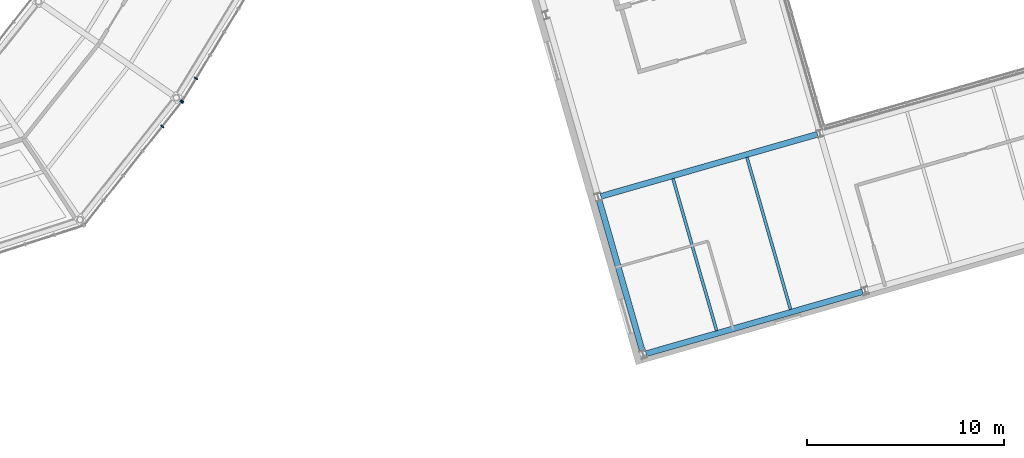
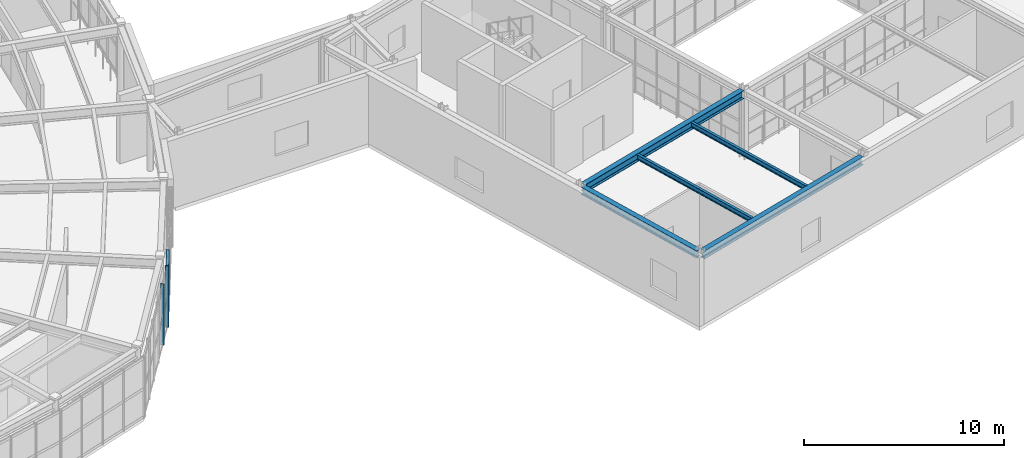
# One storey, part 30 of 103: 5 beams, 4 members, 2 elements without a shape of their own.
"""IFC4 building model written with IfcOpenShell, lengths in metres."""

from ifc_helpers import new_model, si_unit, direction, frame, origin, origin_2d, place, context, subcontext, project, spatial, rectangle, i_section, extrude, material, material_profile, profile_set, type_object, element, aggregate, save


model = new_model("IFC4")

# Units and contexts
model_context = context("Model", 3, precision=1e-05, world=origin(), true_north=direction((0.0, 1.0)))
body_context = subcontext(model_context, "Body", "Model", "MODEL_VIEW")
ifc_project = project(units=[si_unit("LENGTHUNIT", "METRE"), si_unit("AREAUNIT", "SQUARE_METRE"), si_unit("VOLUMEUNIT", "CUBIC_METRE"), si_unit("PLANEANGLEUNIT", "RADIAN"), si_unit("MASSUNIT", "GRAM", prefix="KILO")], contexts=[model_context])

# Site, building, storey
site_placement = place(None, origin())
site = spatial("IfcSite", under=ifc_project, at=site_placement, CompositionType="ELEMENT")
building_placement = place(site_placement, origin())
building = spatial("IfcBuilding", under=site, at=building_placement, Name="Varnklinge Art Gallery", CompositionType="ELEMENT")
storey_placement = place(building_placement, frame((0.0, 0.0, 5.10009765625)))
storey = spatial("IfcBuildingStorey", under=building, at=storey_placement, Name="L01", CompositionType="ELEMENT", Elevation=5.10009765625)

# Beams
ifc_material_1 = material(Name="Steel S355", Category="steel")
ifc_material_profile_1 = material_profile(ifc_material_1, i_section(OverallWidth=0.300048828125, OverallDepth=0.489990234375, WebThickness=0.011962890625, FlangeThickness=0.02294921875, FilletRadius=0.027099609375, at=origin_2d()), Name="HEA 500")
ifc_profile_set_1 = profile_set([ifc_material_profile_1], Name="Steel S355")
beam_type_1 = type_object("IfcBeamType", Name="BM-07", PredefinedType="BEAM", material=ifc_profile_set_1)
for number, where, z_axis, x_axis, name in (
    (1, (124.962158203125, 9.8466796875, 3.954833984375), (0.961262939416, 0.275633019257, 0.0), (-0.275633019257, 0.961262939416, 0.0), "L01 BM-07 BM-V6-L02-U0-0"),
    (2, (122.67431640625, 17.8251953125, 3.954833984375), (0.961262939416, 0.275633019257, 0.0), (-0.275633019257, 0.961262939416, 0.0), "L01 BM-07 BM-V6-L02-U1-0"),
):
    element("IfcBeam", number, at=place(storey_placement, frame(where, z_axis=z_axis, x_axis=x_axis)), inside=storey, type_object=beam_type_1, Name=name, PredefinedType="BEAM", context=body_context, shape_type="SweptSolid", body=[
        extrude(i_section(OverallWidth=0.300048828125, OverallDepth=0.489990234375, WebThickness=0.011962890625, FlangeThickness=0.02294921875, FilletRadius=0.027099609375, at=origin_2d()), origin(), (0.0, 0.0, 1.0), 11.419921875),
    ])
ifc_material_2 = material(Name="Steel S355", Category="steel")
ifc_material_profile_2 = material_profile(ifc_material_2, i_section(OverallWidth=0.300048828125, OverallDepth=0.43994140625, WebThickness=0.011474609375, FlangeThickness=0.02099609375, FilletRadius=0.027099609375, at=origin_2d()), Name="HEA 450")
ifc_profile_set_2 = profile_set([ifc_material_profile_2], Name="Steel S355")
beam_type_2 = type_object("IfcBeamType", Name="BM-08", PredefinedType="BEAM", material=ifc_profile_set_2)
beam_1_placement = place(storey_placement, frame((124.788818359375, 9.94287109375, 3.97998046875), z_axis=(-0.275621630307, 0.961266205016, 0.0), x_axis=(-0.961266205016, -0.275621630307, 0.0)))
element("IfcBeam", 3, at=beam_1_placement, inside=storey, type_object=beam_type_2, Name="L01 BM-08 BM-V6-L02-V0-0", PredefinedType="BEAM", context=body_context, shape_type="SweptSolid", body=[
    extrude(i_section(OverallWidth=0.300048828125, OverallDepth=0.43994140625, WebThickness=0.011474609375, FlangeThickness=0.02099609375, FilletRadius=0.027099609375, at=origin_2d()), origin(), (0.0, 0.0, 1.0), 8.019775390625),
])
ifc_material_3 = material(Name="Steel S355", Category="steel")
ifc_material_profile_3 = material_profile(ifc_material_3, i_section(OverallWidth=0.14990234375, OverallDepth=0.300048828125, WebThickness=0.007080078125, FlangeThickness=0.0107421875, FilletRadius=0.014892578125, at=origin_2d()), Name="IPE 300")
ifc_profile_set_3 = profile_set([ifc_material_profile_3], Name="Steel S355")
beam_type_3 = type_object("IfcBeamType", Name="JST-08", PredefinedType="JOIST", material=ifc_profile_set_3)
beam_2_placement = place(storey_placement, frame((128.537841796875, 11.017578125, 4.0498046875), z_axis=(-0.2756416934, 0.961260452146, 0.0), x_axis=(-0.961260452146, -0.2756416934, 0.0)))
element("IfcBeam", 4, at=beam_2_placement, inside=storey, type_object=beam_type_3, Name="L01 JST-08 JST-V6-L02-0-0-1", PredefinedType="JOIST", context=body_context, shape_type="SweptSolid", body=[
    extrude(i_section(OverallWidth=0.14990234375, OverallDepth=0.300048828125, WebThickness=0.007080078125, FlangeThickness=0.0107421875, FilletRadius=0.014892578125, at=origin_2d()), origin(), (0.0, 0.0, 1.0), 8.020263671875),
])
beam_3_placement = place(storey_placement, frame((132.286865234375, 12.0927734375, 4.0498046875), z_axis=(-0.275649759333, 0.961258139201, 0.0), x_axis=(-0.961258139201, -0.275649759333, 0.0)))
element("IfcBeam", 5, at=beam_3_placement, inside=storey, type_object=beam_type_3, Name="L01 JST-08 JST-V6-L02-0-0-2", PredefinedType="JOIST", context=body_context, shape_type="SweptSolid", body=[
    extrude(i_section(OverallWidth=0.14990234375, OverallDepth=0.300048828125, WebThickness=0.007080078125, FlangeThickness=0.0107421875, FilletRadius=0.014892578125, at=origin_2d()), origin(), (0.0, 0.0, 1.0), 8.02001953125),
])

# Curtain wall, members
ifc_material_4 = material(Name="Anodised Aluminium", Category="aluminium")
curtain_wall_type = type_object("IfcCurtainWallType", Name="CW-R02", PredefinedType="USERDEFINED", material=ifc_material_4)
curtain_wall_1_placement = place(storey_placement, origin())
curtain_wall_1 = element("IfcCurtainWall", 6, at=curtain_wall_1_placement, inside=storey, type_object=curtain_wall_type, Name="L01 Curtain Wall CW-V2O-L01-01", ObjectType="UNITISED CURTAIN WALL", PredefinedType="USERDEFINED")
ifc_material_5 = material(Name="Anodised Aluminium", Category="aluminium")
ifc_material_profile_4 = material_profile(ifc_material_5, rectangle(XDim=0.06494140625, YDim=0.179931640625, at=origin_2d()), Name="ALU 65x180")
ifc_profile_set_4 = profile_set([ifc_material_profile_4], Name="Anodised Aluminium")
member_type = type_object("IfcMemberType", Name="MUL-01", PredefinedType="MULLION", material=ifc_profile_set_4)
member_1_placement = place(storey_placement, frame((100.443603515625, 21.37060546875, 0.0), z_axis=(0.0, 0.0, 1.0), x_axis=(0.620737354217, 0.784018582101, 0.0)))
member_1 = element("IfcMember", 7, at=member_1_placement, type_object=member_type, Name="CW-V2O-L01-01 Mullion 5", PredefinedType="MULLION", context=body_context, shape_type="SweptSolid", body=[
    extrude(rectangle(XDim=0.06494140625, YDim=0.179931640625, at=origin_2d()), origin(), (0.0, 0.0, 1.0), 3.72998046875),
])
member_2_placement = place(storey_placement, frame((101.416748046875, 22.599609375, 0.0), z_axis=(0.0, 0.0, 1.0), x_axis=(0.620737354217, 0.784018582101, 0.0)))
member_2 = element("IfcMember", 8, at=member_2_placement, type_object=member_type, Name="CW-V2O-L01-01 Mullion 6", PredefinedType="MULLION", context=body_context, shape_type="SweptSolid", body=[
    extrude(rectangle(XDim=0.06494140625, YDim=0.179931640625, at=origin_2d()), origin(), (0.0, 0.0, 1.0), 3.72998046875),
])
aggregate(curtain_wall_1, [member_1, member_2])

curtain_wall_2_placement = place(storey_placement, origin())
curtain_wall_2 = element("IfcCurtainWall", 9, at=curtain_wall_2_placement, inside=storey, type_object=curtain_wall_type, Name="L01 Curtain Wall CW-V2O-L01-02", ObjectType="UNITISED CURTAIN WALL", PredefinedType="USERDEFINED")
member_3_placement = place(storey_placement, frame((101.453857421875, 22.652587890625, 0.0), z_axis=(0.0, 0.0, 1.0), x_axis=(0.520860651188, 0.85364171761, 0.0)))
member_3 = element("IfcMember", 10, at=member_3_placement, type_object=member_type, Name="CW-V2O-L01-02 Mullion 1", PredefinedType="MULLION", context=body_context, shape_type="SweptSolid", body=[
    extrude(rectangle(XDim=0.06494140625, YDim=0.179931640625, at=origin_2d()), origin(), (0.0, 0.0, 1.0), 3.72998046875),
])
member_4_placement = place(storey_placement, frame((102.15478515625, 23.801025390625, 0.0), z_axis=(0.0, 0.0, 1.0), x_axis=(0.520860651188, 0.85364171761, 0.0)))
member_4 = element("IfcMember", 11, at=member_4_placement, type_object=member_type, Name="CW-V2O-L01-02 Mullion 2", PredefinedType="MULLION", context=body_context, shape_type="SweptSolid", body=[
    extrude(rectangle(XDim=0.06494140625, YDim=0.179931640625, at=origin_2d()), origin(), (0.0, 0.0, 1.0), 3.72998046875),
])
aggregate(curtain_wall_2, [member_3, member_4])

save(model, "model.ifc")
